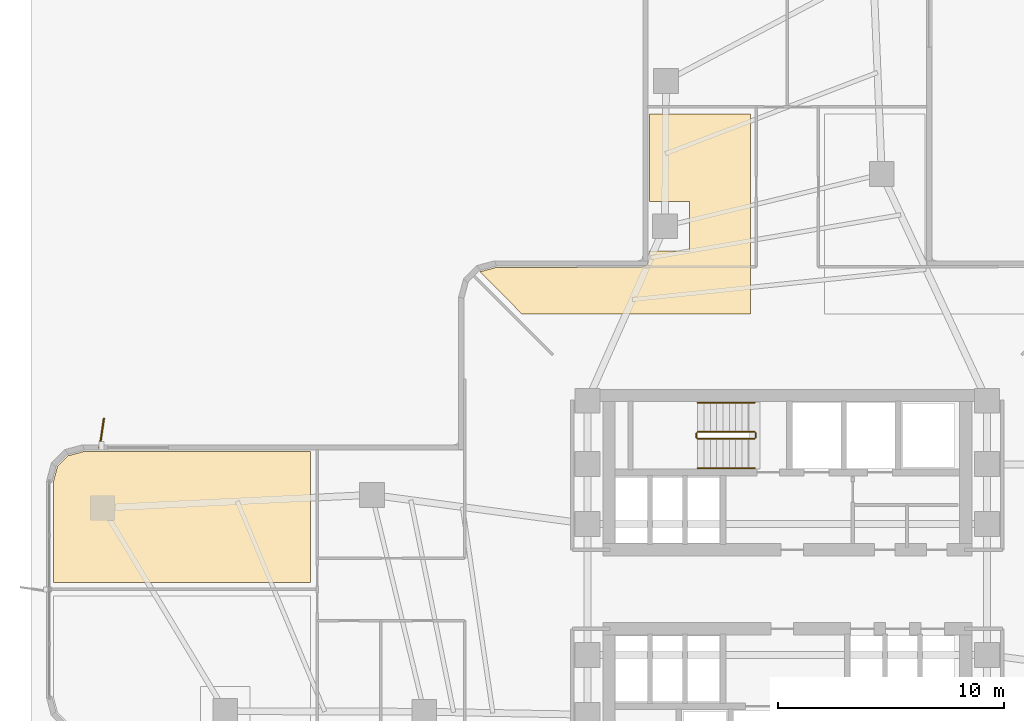
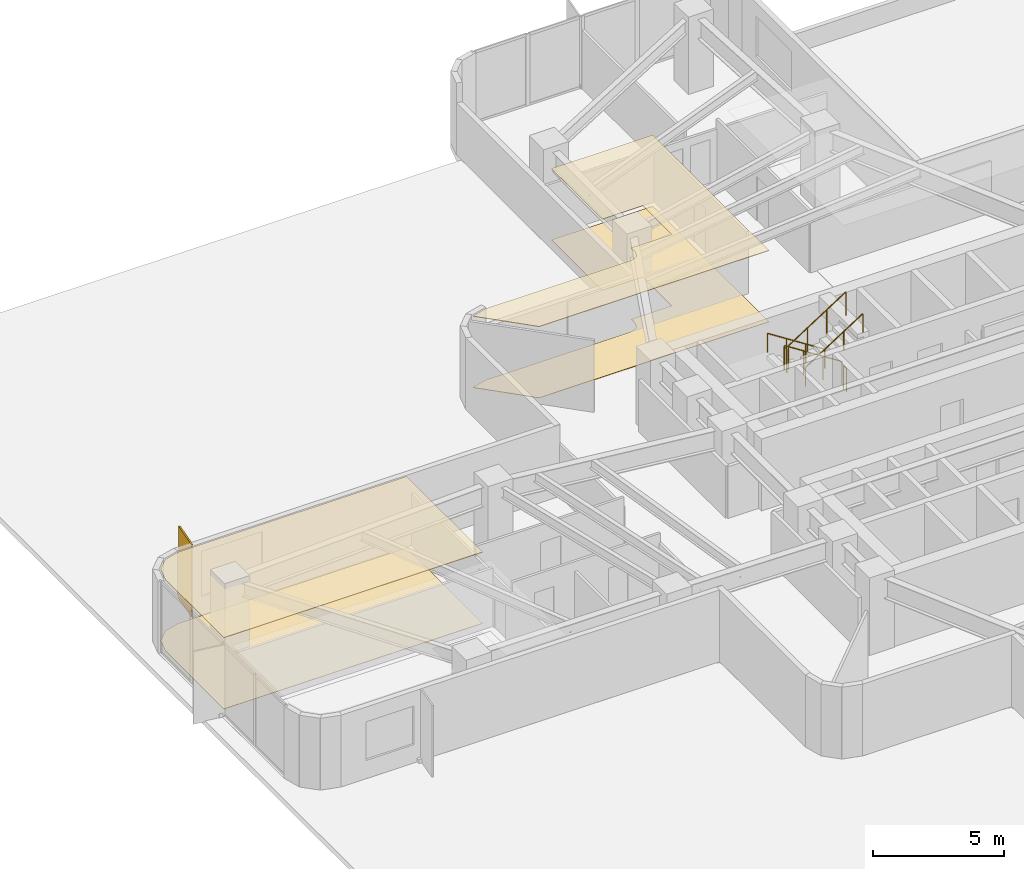
# One storey, part 13 of 14: 6 railings, 4 coverings, 1 shading device.
"""IFC4 building model written with IfcOpenShell, lengths in metres."""

import ifcopenshell
import ifcopenshell.guid

model = None  # the IFC model being written
_history = None  # IfcOwnerHistory: only IFC2X3 demands one
_inside = {}  # id of a spatial element -> (the spatial element, [elements in it])
_under = {}  # id of a project, library or spatial element -> (it, [spatial elements below it])
_declared = {}  # id of a project -> (the project, [libraries it declares])
_typed = {}  # id of a type object -> (the type object, [elements of that type])
_made_of = {}  # id of a material, layer set ... -> (it, [elements and type objects made of it])


def new_model(schema):
    """Start an empty IFC model of exactly this schema.

    Asked for "IFC4X3", IfcOpenShell would pick the latest addendum, in which some entities
    have other attributes; the version numbers below select the first issue.
    IFC2X3 requires an IfcOwnerHistory on every rooted entity: one is made here for all.
    """
    global model, _history
    if schema == "IFC4X3":
        model = ifcopenshell.file(schema_version=(4, 3, 0, 0))
    else:
        model = ifcopenshell.file(schema=schema)
    _inside.clear()
    _under.clear()
    _declared.clear()
    _typed.clear()
    _made_of.clear()
    _history = None
    if model.schema == "IFC2X3":
        org = make("IfcOrganization", Name="unknown")
        user = make(
            "IfcPersonAndOrganization",
            ThePerson=make("IfcPerson", FamilyName="unknown"),
            TheOrganization=org,
        )
        app = make(
            "IfcApplication",
            ApplicationDeveloper=org,
            Version="unknown",
            ApplicationFullName="unknown",
            ApplicationIdentifier="unknown",
        )
        _history = make(
            "IfcOwnerHistory",
            OwningUser=user,
            OwningApplication=app,
            ChangeAction="ADDED",
            CreationDate=0,
        )
    return model


def make(cls, **values):
    """One entity of the class cls with the attributes given. An attribute that is None is left unset."""
    return model.create_entity(
        cls, **{name: value for name, value in values.items() if value is not None}
    )


def rooted(cls, **values):
    """An entity with a GlobalId (a new one), such as an element, a storey or a relation."""
    return make(cls, GlobalId=ifcopenshell.guid.new(), OwnerHistory=_history, **values)


def si_unit(unit_type, name, prefix=None):
    """IfcSIUnit, for example si_unit("LENGTHUNIT", "METRE", prefix="MILLI")."""
    return make("IfcSIUnit", UnitType=unit_type, Prefix=prefix, Name=name)


def assignment(units):
    """IfcUnitAssignment: the units of a project."""
    return None if units is None else make("IfcUnitAssignment", Units=units)


def point(xyz):
    """IfcCartesianPoint."""
    return None if xyz is None else make("IfcCartesianPoint", Coordinates=xyz)


def direction(xyz):
    """IfcDirection."""
    return None if xyz is None else make("IfcDirection", DirectionRatios=xyz)


def frame(location, z_axis=None, x_axis=None):
    """IfcAxis2Placement3D, a coordinate frame: its origin and axes. An axis left out is left unset."""
    return make(
        "IfcAxis2Placement3D",
        Location=point(location),
        Axis=direction(z_axis),
        RefDirection=direction(x_axis),
    )


def frame_2d(location, x_axis=None):
    """IfcAxis2Placement2D, a coordinate frame in the plane: its origin and x axis."""
    return make(
        "IfcAxis2Placement2D", Location=point(location), RefDirection=direction(x_axis)
    )


def origin():
    """The frame at (0, 0, 0) with its axes left unset."""
    return frame((0.0, 0.0, 0.0))


def origin_2d():
    """The frame at (0, 0) in the plane with its x axis left unset."""
    return frame_2d((0.0, 0.0))


def place(relative_to, where):
    """IfcLocalPlacement: puts the frame where relative to a parent placement (None: the world)."""
    return make(
        "IfcLocalPlacement", PlacementRelTo=relative_to, RelativePlacement=where
    )


def context(
    kind, dimensions, precision=None, world=None, true_north=None, identifier=None
):
    """IfcGeometricRepresentationContext, for example the 3D "Model" context."""
    return make(
        "IfcGeometricRepresentationContext",
        ContextIdentifier=identifier,
        ContextType=kind,
        CoordinateSpaceDimension=dimensions,
        Precision=precision,
        WorldCoordinateSystem=world,
        TrueNorth=true_north,
    )


def subcontext(parent, identifier, kind, view, scale=None):
    """IfcGeometricRepresentationSubContext, for example "Body" below "Model"."""
    return make(
        "IfcGeometricRepresentationSubContext",
        ContextIdentifier=identifier,
        ContextType=kind,
        ParentContext=parent,
        TargetScale=scale,
        TargetView=view,
    )


def project(units=None, contexts=None):
    """IfcProject with its units and contexts."""
    return rooted(
        "IfcProject",
        Name="project",
        RepresentationContexts=contexts,
        UnitsInContext=assignment(units),
    )


def spatial(cls, under=None, at=None, **own):
    """A site, building, storey or space (cls), placed at a placement, below another one or the project."""
    s = rooted(cls, ObjectPlacement=at, **own)
    if under is not None:
        _under.setdefault(under.id(), (under, []))[1].append(s)
    return s


def polyline(points):
    """IfcPolyline through the points."""
    return make("IfcPolyline", Points=[point(p) for p in points])


def profile(cls, at=None, kind="AREA", **sizes):
    """A parametric profile (cls). Its sizes go by their IFC names, for example OverallWidth=200.0."""
    return make(cls, ProfileType=kind, Position=at, **sizes)


def rectangle(**sizes):
    """IfcRectangleProfileDef."""
    return profile("IfcRectangleProfileDef", **sizes)


def circle(**sizes):
    """IfcCircleProfileDef."""
    return profile("IfcCircleProfileDef", **sizes)


def outline(outer, holes=None, kind="AREA"):
    """IfcArbitraryClosedProfileDef: a profile drawn as a closed curve; with holes, ...WithVoids."""
    if holes is None:
        return make("IfcArbitraryClosedProfileDef", ProfileType=kind, OuterCurve=outer)
    return make(
        "IfcArbitraryProfileDefWithVoids",
        ProfileType=kind,
        OuterCurve=outer,
        InnerCurves=holes,
    )


def extrude(swept, where, along, depth):
    """IfcExtrudedAreaSolid: the profile swept, set in the frame where, extruded along a direction by depth."""
    return make(
        "IfcExtrudedAreaSolid",
        SweptArea=swept,
        Position=where,
        ExtrudedDirection=direction(along),
        Depth=depth,
    )


def shape(context_of_items, identifier, shape_type, items):
    """IfcShapeRepresentation: the items that make up one representation, for example the "Body"."""
    return make(
        "IfcShapeRepresentation",
        ContextOfItems=context_of_items,
        RepresentationIdentifier=identifier,
        RepresentationType=shape_type,
        Items=items,
    )


def material(Name=None, Category=None):
    """IfcMaterial."""
    return make("IfcMaterial", Name=Name, Category=Category)


def layer(
    of_material, thickness, ventilated=None, Name=None, Category=None, Priority=None
):
    """IfcMaterialLayer: one layer of a wall or slab, of a material (None: an air gap)."""
    return make(
        "IfcMaterialLayer",
        Material=of_material,
        LayerThickness=thickness,
        IsVentilated=ventilated,
        Name=Name,
        Category=Category,
        Priority=Priority,
    )


def layer_set(layers, Name=None):
    """IfcMaterialLayerSet."""
    return make("IfcMaterialLayerSet", MaterialLayers=layers, LayerSetName=Name)


def made_of(thing, what):
    """Note that an element or type object is made of a material, layer set ...; save() writes the relation."""
    if what is not None:
        _made_of.setdefault(what.id(), (what, []))[1].append(thing)
    return thing


def type_object(cls, material=None, **own):
    """A type object (cls), such as IfcWallType, which elements share."""
    return made_of(rooted(cls, **own), material)


def element(
    cls,
    number,
    at=None,
    inside=None,
    cuts=None,
    type_object=None,
    material=None,
    context=None,
    identifier="Body",
    shape_type=None,
    held_by="IfcProductDefinitionShape",
    body=None,
    shapes=None,
    **own,
):
    """One element of the class cls, such as IfcWall. Its Tag is "e" and its number.

    at: its placement. inside: the storey or other place that contains it. cuts: it is an
    opening in that element (IfcRelVoidsElement). A single representation is given by context,
    identifier, shape_type and body (its items); several are given by shapes. held_by: the class
    of the entity that holds the representations. save() writes the other relations.
    """
    e = rooted(cls, Tag="e%d" % number, ObjectPlacement=at, **own)
    if body is not None:
        shapes = [shape(context, identifier, shape_type, body)]
    if shapes is not None:
        e.Representation = make(held_by, Representations=shapes)
    if inside is not None:
        _inside.setdefault(inside.id(), (inside, []))[1].append(e)
    if cuts is not None:
        rooted(
            "IfcRelVoidsElement", RelatingBuildingElement=cuts, RelatedOpeningElement=e
        )
    if type_object is not None:
        _typed.setdefault(type_object.id(), (type_object, []))[1].append(e)
    return made_of(e, material)


def aggregate(whole, parts):
    """IfcRelAggregates: a whole, such as a stair, and the parts it consists of."""
    return rooted("IfcRelAggregates", RelatingObject=whole, RelatedObjects=parts)


def save(model, path):
    """Write the relations noted so far, then the file.

    IfcRelAggregates (storeys below a building ...), IfcRelContainedInSpatialStructure (elements
    in a storey), IfcRelDefinesByType, IfcRelAssociatesMaterial and IfcRelDeclares: one each for
    every whole, place, type object, material and project.
    """
    for whole, parts in _under.values():
        aggregate(whole, parts)
    for where, things in _inside.values():
        rooted(
            "IfcRelContainedInSpatialStructure",
            RelatedElements=things,
            RelatingStructure=where,
        )
    for kind, things in _typed.values():
        rooted("IfcRelDefinesByType", RelatedObjects=things, RelatingType=kind)
    for what, things in _made_of.values():
        rooted("IfcRelAssociatesMaterial", RelatedObjects=things, RelatingMaterial=what)
    for by, libraries in _declared.values():
        rooted("IfcRelDeclares", RelatingContext=by, RelatedDefinitions=libraries)
    model.write(path)


model = new_model("IFC4")

# Units and contexts
model_context = context("Model", 3, precision=1e-05, world=origin(), true_north=direction((0.0, 1.0)))
body_context = subcontext(model_context, "Body", "Model", "MODEL_VIEW")
ifc_project = project(units=[si_unit("LENGTHUNIT", "METRE"), si_unit("AREAUNIT", "SQUARE_METRE"), si_unit("VOLUMEUNIT", "CUBIC_METRE"), si_unit("PLANEANGLEUNIT", "RADIAN"), si_unit("MASSUNIT", "GRAM", prefix="KILO")], contexts=[model_context])

# Site, building, storey
site_placement = place(None, origin())
site = spatial("IfcSite", under=ifc_project, at=site_placement, CompositionType="ELEMENT")
building_placement = place(site_placement, origin())
building = spatial("IfcBuilding", under=site, at=building_placement, Name="Solmarez Civic Tower", CompositionType="ELEMENT")
storey_placement = place(building_placement, frame((0.0, 0.0, 24.47998046875)))
storey = spatial("IfcBuildingStorey", under=building, at=storey_placement, Name="L05", CompositionType="ELEMENT", Elevation=24.47998046875)

# Coverings
ifc_material_1 = material(Name="Perforated Mineral-Fibre Acoustic Ceiling")
ifc_layer_1 = layer(ifc_material_1, 0.02490234375)
ifc_layer_set_1 = layer_set([ifc_layer_1], Name="Perforated Mineral-Fibre Acoustic Ceiling")
covering_type_1 = type_object("IfcCoveringType", Name="COV-CEIL-ACOUSTIC", PredefinedType="CEILING", material=ifc_layer_set_1)
covering_1_placement = place(storey_placement, frame((0.0, 0.0, 3.31494140625)))
element("IfcCovering", 1, at=covering_1_placement, inside=storey, type_object=covering_type_1, Name="L05 Suspended Acoustic Ceiling 1", PredefinedType="CEILING", context=body_context, shape_type="SweptSolid", body=[
    extrude(outline(polyline([(-6.10009765625, 21.06005859375), (-6.10009765625, 17.176025390625), (-4.321044921875, 17.176025390625), (-4.321044921875, 14.97607421875), (-6.10009765625, 14.97607421875), (-6.10009765625, 14.75390625), (-6.10205078125, 14.722900390625), (-6.10302734375, 14.716064453125), (-6.10888671875, 14.68701171875), (-6.111083984375, 14.681884765625), (-6.154052734375, 14.51806640625), (-6.1650390625, 14.487060546875), (-6.174072265625, 14.466064453125), (-6.18310546875, 14.447998046875), (-6.193115234375, 14.430908203125), (-6.197021484375, 14.425048828125), (-6.2109375, 14.406005859375), (-6.216064453125, 14.39990234375), (-6.22900390625, 14.385009765625), (-6.235107421875, 14.37890625), (-6.25, 14.365966796875), (-6.256103515625, 14.361083984375), (-6.27490234375, 14.346923828125), (-6.281005859375, 14.343017578125), (-6.298095703125, 14.3330078125), (-6.31591796875, 14.323974609375), (-6.322998046875, 14.321044921875), (-6.330078125, 14.318115234375), (-6.3369140625, 14.31494140625), (-6.367919921875, 14.303955078125), (-6.531982421875, 14.260986328125), (-6.537109375, 14.259033203125), (-6.56591796875, 14.2529296875), (-6.572998046875, 14.251953125), (-6.60400390625, 14.25), (-12.909912109375, 14.25), (-13.594970703125, 14.06689453125), (-13.60009765625, 14.06201171875), (-11.758056640625, 12.199951171875), (-1.639892578125, 12.199951171875), (-1.639892578125, 21.06005859375), (-6.10009765625, 21.06005859375)])), origin(), (0.0, 0.0, 1.0), 0.025146484375),
])
covering_2_placement = place(storey_placement, frame((0.0, 0.0, 3.31494140625)))
element("IfcCovering", 2, at=covering_2_placement, inside=storey, type_object=covering_type_1, Name="L05 Suspended Acoustic Ceiling 4", PredefinedType="CEILING", context=body_context, shape_type="SweptSolid", body=[
    extrude(outline(polyline([(-21.110107421875, 6.10009765625), (-31.159912109375, 6.10009765625), (-31.844970703125, 5.9169921875), (-32.31689453125, 5.445068359375), (-32.5, 4.760009765625), (-32.5, 0.300048828125), (-21.110107421875, 0.300048828125), (-21.110107421875, 6.10009765625)])), origin(), (0.0, 0.0, 1.0), 0.025146484375),
])
ifc_material_2 = material(Name="Polished Tropical Stone Terrazzo Flooring", Category="masonry")
ifc_layer_2 = layer(ifc_material_2, 0.02001953125)
ifc_layer_set_2 = layer_set([ifc_layer_2], Name="Polished Tropical Stone Terrazzo Flooring")
covering_type_2 = type_object("IfcCoveringType", Name="COV-FLOOR-TERRAZZO", PredefinedType="FLOORING", material=ifc_layer_set_2)
covering_3_placement = place(storey_placement, origin())
element("IfcCovering", 3, at=covering_3_placement, inside=storey, type_object=covering_type_2, Name="L05 Terrazzo Floor Finish 1", PredefinedType="FLOORING", context=body_context, shape_type="SweptSolid", body=[
    extrude(outline(polyline([(-6.10009765625, 21.06005859375), (-6.10009765625, 17.176025390625), (-4.321044921875, 17.176025390625), (-4.321044921875, 14.97607421875), (-6.10009765625, 14.97607421875), (-6.10009765625, 14.75390625), (-6.10205078125, 14.722900390625), (-6.10302734375, 14.716064453125), (-6.10888671875, 14.68701171875), (-6.111083984375, 14.681884765625), (-6.154052734375, 14.51806640625), (-6.1650390625, 14.487060546875), (-6.174072265625, 14.466064453125), (-6.18310546875, 14.447998046875), (-6.193115234375, 14.430908203125), (-6.197021484375, 14.425048828125), (-6.2109375, 14.406005859375), (-6.216064453125, 14.39990234375), (-6.22900390625, 14.385009765625), (-6.235107421875, 14.37890625), (-6.25, 14.365966796875), (-6.256103515625, 14.361083984375), (-6.27490234375, 14.346923828125), (-6.281005859375, 14.343017578125), (-6.298095703125, 14.3330078125), (-6.31591796875, 14.323974609375), (-6.322998046875, 14.321044921875), (-6.330078125, 14.318115234375), (-6.3369140625, 14.31494140625), (-6.367919921875, 14.303955078125), (-6.531982421875, 14.260986328125), (-6.537109375, 14.259033203125), (-6.56591796875, 14.2529296875), (-6.572998046875, 14.251953125), (-6.60400390625, 14.25), (-12.909912109375, 14.25), (-13.594970703125, 14.06689453125), (-13.60009765625, 14.06201171875), (-11.758056640625, 12.199951171875), (-1.639892578125, 12.199951171875), (-1.639892578125, 21.06005859375), (-6.10009765625, 21.06005859375)])), origin(), (0.0, 0.0, 1.0), 0.02001953125),
])
covering_4_placement = place(storey_placement, origin())
element("IfcCovering", 4, at=covering_4_placement, inside=storey, type_object=covering_type_2, Name="L05 Terrazzo Floor Finish 4", PredefinedType="FLOORING", context=body_context, shape_type="SweptSolid", body=[
    extrude(outline(polyline([(-21.110107421875, 6.10009765625), (-31.159912109375, 6.10009765625), (-31.844970703125, 5.9169921875), (-32.31689453125, 5.445068359375), (-32.5, 4.760009765625), (-32.5, 0.300048828125), (-21.110107421875, 0.300048828125), (-21.110107421875, 6.10009765625)])), origin(), (0.0, 0.0, 1.0), 0.02001953125),
])

# Shading device
ifc_material_3 = material(Name="Bronze Anodised Aluminium EN AW-6063 T6", Category="aluminium")
ifc_layer_3 = layer(ifc_material_3, 0.06494140625)
ifc_layer_set_3 = layer_set([ifc_layer_3], Name="Bronze Anodised Aluminium EN AW-6063 T6")
shading_device_type = type_object("IfcShadingDeviceType", Name="FIN-BRONZE-Z12", PredefinedType="USERDEFINED", material=ifc_layer_set_3)
shading_device_placement = place(storey_placement, frame((-30.35888671875, 6.905029296875, -0.0400390625), z_axis=(0.0, 0.0, 1.0), x_axis=(0.146083028562, 0.989272332963, 0.0)))
element("IfcShadingDevice", 5, at=shading_device_placement, inside=storey, type_object=shading_device_type, Name="L05 Anodised Bronze Solar Fin FIN-L05-03", ObjectType="FIN", PredefinedType="USERDEFINED", context=body_context, shape_type="SweptSolid", body=[
    extrude(rectangle(XDim=1.35009765625, YDim=0.06494140625, at=origin_2d()), origin(), (0.0, 0.0, 1.0), 3.3798828125),
])

# Railings
ifc_material_4 = material(Name="Painted Steel Stairwell Safety Guard", Category="steel")
railing_type_1 = type_object("IfcRailingType", Name="GUARD-STAIR-1120", PredefinedType="BALUSTRADE", material=ifc_material_4)
railing_1_placement = place(storey_placement, frame((-1.449951171875, 6.969970703125, 0.179931640625)))
element("IfcRailing", 6, at=railing_1_placement, inside=storey, type_object=railing_type_1, Name="L05 ST-1 stair guard 1", PredefinedType="BALUSTRADE", context=body_context, shape_type="SweptSolid", body=[
    extrude(circle(Radius=0.02392578125, at=origin_2d()), frame((0.0, 0.0, 1.09619140625), z_axis=(-0.841162588446, 0.0, 0.540782303519), x_axis=(0.0, -1.0, 0.0)), (0.0, 0.0, 1.0), 2.995849609375),
    extrude(circle(Radius=0.02099609375, at=origin_2d()), origin(), (0.0, 0.0, 1.0), 1.072021484375),
    extrude(circle(Radius=0.02099609375, at=origin_2d()), frame((-0.840087890625, 0.0, 0.5400390625)), (0.0, 0.0, 1.0), 1.072021484375),
    extrude(circle(Radius=0.02099609375, at=origin_2d()), frame((-1.679931640625, 0.0, 1.080078125)), (0.0, 0.0, 1.0), 1.072021484375),
    extrude(circle(Radius=0.02099609375, at=origin_2d()), frame((-2.52001953125, 0.0, 1.6201171875)), (0.0, 0.0, 1.0), 1.072021484375),
])
railing_2_placement = place(storey_placement, frame((-4.02001953125, 6.919921875, 1.800048828125)))
element("IfcRailing", 7, at=railing_2_placement, inside=storey, type_object=railing_type_1, Name="L05 ST-1 stair guard 2", PredefinedType="BALUSTRADE", context=body_context, shape_type="SweptSolid", body=[
    extrude(circle(Radius=0.02392578125, at=origin_2d()), frame((0.0, 0.0, 1.09619140625), z_axis=(0.0, -1.0, 0.0), x_axis=(1.0, 0.0, 0.0)), (0.0, 0.0, 1.0), 0.199951171875),
    extrude(circle(Radius=0.02099609375, at=origin_2d()), origin(), (0.0, 0.0, 1.0), 1.072021484375),
    extrude(circle(Radius=0.02099609375, at=origin_2d()), frame((0.0, -0.199951171875, 0.0)), (0.0, 0.0, 1.0), 1.072021484375),
])
railing_3_placement = place(storey_placement, frame((-3.969970703125, 6.669921875, 1.97998046875)))
element("IfcRailing", 8, at=railing_3_placement, inside=storey, type_object=railing_type_1, Name="L05 ST-1 stair guard 3", PredefinedType="BALUSTRADE", context=body_context, shape_type="SweptSolid", body=[
    extrude(circle(Radius=0.02392578125, at=origin_2d()), frame((0.0, 0.0, 1.09619140625), z_axis=(0.841162588446, 0.0, 0.540782303519), x_axis=(0.0, 1.0, 0.0)), (0.0, 0.0, 1.0), 2.995849609375),
    extrude(circle(Radius=0.02099609375, at=origin_2d()), origin(), (0.0, 0.0, 1.0), 1.072021484375),
    extrude(circle(Radius=0.02099609375, at=origin_2d()), frame((0.840087890625, 0.0, 0.5400390625)), (0.0, 0.0, 1.0), 1.072021484375),
    extrude(circle(Radius=0.02099609375, at=origin_2d()), frame((1.679931640625, 0.0, 1.080078125)), (0.0, 0.0, 1.0), 1.072021484375),
    extrude(circle(Radius=0.02099609375, at=origin_2d()), frame((2.52001953125, 0.0, 1.6201171875)), (0.0, 0.0, 1.0), 1.072021484375),
])
railing_4_placement = place(storey_placement, frame((-1.39990234375, 6.919921875, 0.0)))
element("IfcRailing", 9, at=railing_4_placement, inside=storey, type_object=railing_type_1, Name="L05 ST-1 stair guard 4", PredefinedType="BALUSTRADE", context=body_context, shape_type="SweptSolid", body=[
    extrude(circle(Radius=0.02392578125, at=origin_2d()), frame((0.0, 0.0, 1.09619140625), z_axis=(0.0, -1.0, 0.0), x_axis=(1.0, 0.0, 0.0)), (0.0, 0.0, 1.0), 0.199951171875),
    extrude(circle(Radius=0.02099609375, at=origin_2d()), origin(), (0.0, 0.0, 1.0), 1.072021484375),
    extrude(circle(Radius=0.02099609375, at=origin_2d()), frame((0.0, -0.199951171875, 0.0)), (0.0, 0.0, 1.0), 1.072021484375),
])
ifc_material_5 = material(Name="Brushed Stainless Steel Tube Handrail", Category="steel")
railing_type_2 = type_object("IfcRailingType", Name="HANDRAIL-STAIR-900", PredefinedType="HANDRAIL", material=ifc_material_5)
railing_5_placement = place(storey_placement, frame((-1.449951171875, 8.27001953125, 0.179931640625)))
element("IfcRailing", 10, at=railing_5_placement, inside=storey, type_object=railing_type_2, Name="L05 ST-1 stair handrail 1", PredefinedType="HANDRAIL", context=body_context, shape_type="SweptSolid", body=[
    extrude(circle(Radius=0.02392578125, at=origin_2d()), frame((0.0, 0.0, 0.8759765625), z_axis=(-0.841162588446, 0.0, 0.540782303519), x_axis=(0.0, -1.0, 0.0)), (0.0, 0.0, 1.0), 2.995849609375),
    extrude(circle(Radius=0.02099609375, at=origin_2d()), origin(), (0.0, 0.0, 1.0), 0.851806640625),
    extrude(circle(Radius=0.02099609375, at=origin_2d()), frame((-0.840087890625, 0.0, 0.5400390625)), (0.0, 0.0, 1.0), 0.851806640625),
    extrude(circle(Radius=0.02099609375, at=origin_2d()), frame((-1.679931640625, 0.0, 1.080078125)), (0.0, 0.0, 1.0), 0.851806640625),
    extrude(circle(Radius=0.02099609375, at=origin_2d()), frame((-2.52001953125, 0.0, 1.6201171875)), (0.0, 0.0, 1.0), 0.851806640625),
])
railing_6_placement = place(storey_placement, frame((-3.969970703125, 5.3701171875, 1.97998046875)))
element("IfcRailing", 11, at=railing_6_placement, inside=storey, type_object=railing_type_2, Name="L05 ST-1 stair handrail 2", PredefinedType="HANDRAIL", context=body_context, shape_type="SweptSolid", body=[
    extrude(circle(Radius=0.02392578125, at=origin_2d()), frame((0.0, 0.0, 0.8759765625), z_axis=(0.841162588446, 0.0, 0.540782303519), x_axis=(0.0, 1.0, 0.0)), (0.0, 0.0, 1.0), 2.995849609375),
    extrude(circle(Radius=0.02099609375, at=origin_2d()), origin(), (0.0, 0.0, 1.0), 0.851806640625),
    extrude(circle(Radius=0.02099609375, at=origin_2d()), frame((0.840087890625, 0.0, 0.5400390625)), (0.0, 0.0, 1.0), 0.851806640625),
    extrude(circle(Radius=0.02099609375, at=origin_2d()), frame((1.679931640625, 0.0, 1.080078125)), (0.0, 0.0, 1.0), 0.851806640625),
    extrude(circle(Radius=0.02099609375, at=origin_2d()), frame((2.52001953125, 0.0, 1.6201171875)), (0.0, 0.0, 1.0), 0.851806640625),
])

save(model, "model.ifc")
